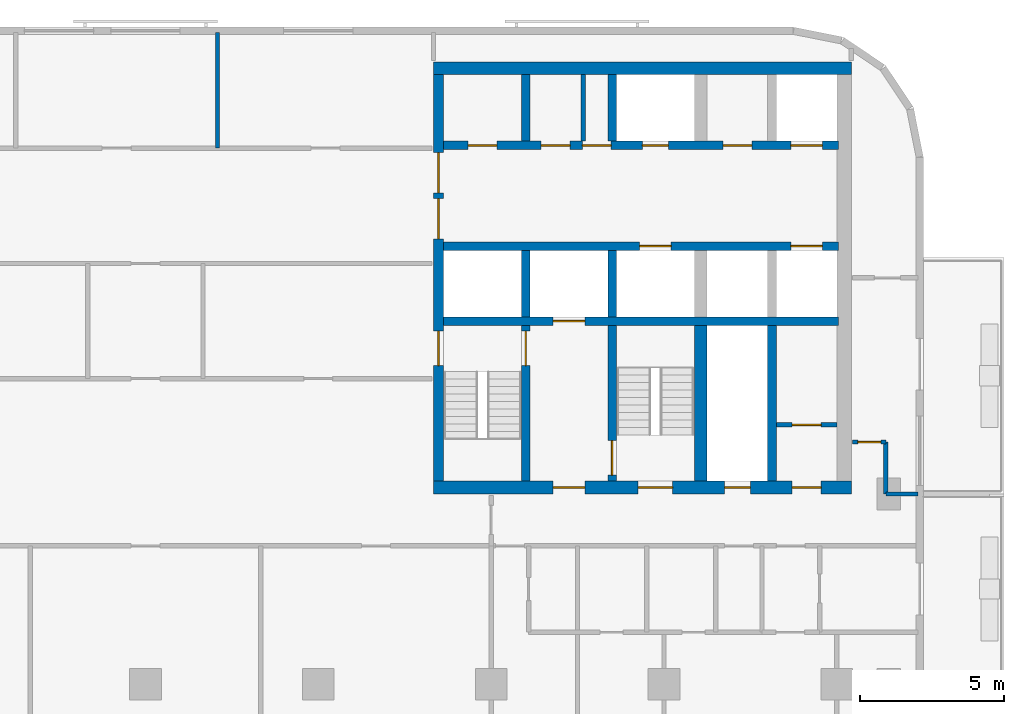
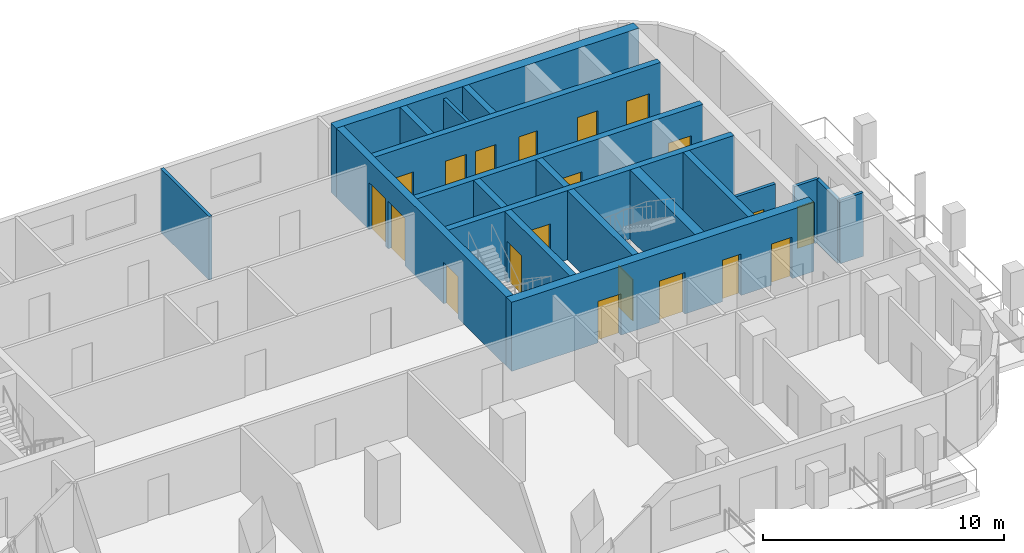
# One storey, part 6 of 11: 20 doors, 20 walls, 20 openings.
"""IFC4 building model written with IfcOpenShell, lengths in metres."""

from ifc_helpers import new_model, si_unit, direction, frame, frame_2d, origin, place, context, subcontext, project, spatial, rectangle, extrude, material, layer, layer_set, type_object, element, fill, save


model = new_model("IFC4")

# Units and contexts
model_context = context("Model", 3, precision=1e-05, world=origin(), true_north=direction((0.0, 1.0)))
body_context = subcontext(model_context, "Body", "Model", "MODEL_VIEW")
ifc_project = project(units=[si_unit("LENGTHUNIT", "METRE"), si_unit("AREAUNIT", "SQUARE_METRE"), si_unit("VOLUMEUNIT", "CUBIC_METRE"), si_unit("PLANEANGLEUNIT", "RADIAN"), si_unit("MASSUNIT", "GRAM", prefix="KILO")], contexts=[model_context])

# Site, building, storey
site_placement = place(None, origin())
site = spatial("IfcSite", under=ifc_project, at=site_placement, CompositionType="ELEMENT")
building_placement = place(site_placement, origin())
building = spatial("IfcBuilding", under=site, at=building_placement, Name="Torana Hotel and Residences", CompositionType="ELEMENT")
storey_placement = place(building_placement, frame((0.0, 0.0, 183.60009765625)))
storey = spatial("IfcBuildingStorey", under=building, at=storey_placement, Name="L47", CompositionType="ELEMENT", Elevation=183.60009765625)

# Wall, openings, doors
ifc_material_1 = material(Name="Concrete C70/85", Category="concrete")
ifc_layer_1 = layer(ifc_material_1, 0.300048828125)
ifc_layer_set_1 = layer_set([ifc_layer_1], Name="CORE WALL 300 C70/85")
wall_type_1 = type_object("IfcWallType", Name="CORE WALL 300 C70/85", PredefinedType="SHEAR", material=ifc_layer_set_1)
wall_1_placement = place(storey_placement, frame((10.35009765625, -2.89990234375, 0.0), z_axis=(0.0, 0.0, 1.0), x_axis=(1.0, 0.0, 0.0)))
wall_1 = element("IfcWall", 1, at=wall_1_placement, inside=storey, type_object=wall_type_1, Name="Core wall E row-N", PredefinedType="SHEAR", context=body_context, shape_type="SweptSolid", body=[
    extrude(rectangle(XDim=13.699951171875, YDim=0.300048828125, at=frame_2d((6.85009765625, 0.0))), origin(), (0.0, 0.0, 1.0), 3.5),
])
opening_1_placement = place(wall_1_placement, frame((12.050048828125, 0.0, 0.0)))
opening_1 = element("IfcOpeningElement", 2, at=opening_1_placement, cuts=wall_1, Name="Opening LD", PredefinedType="OPENING", context=body_context, shape_type="SweptSolid", body=[
    extrude(rectangle(XDim=1.10009765625, YDim=2.10009765625, at=frame_2d((0.550048828125, 1.050048828125))), frame((0.0, 0.159912109375, 0.0), z_axis=(0.0, -1.0, 0.0), x_axis=(1.0, 0.0, 0.0)), (0.0, 0.0, 1.0), 0.320068359375),
])
opening_2_placement = place(wall_1_placement, frame((6.89990234375, 0.0, 0.0)))
opening_2 = element("IfcOpeningElement", 3, at=opening_2_placement, cuts=wall_1, Name="Opening L47-22", PredefinedType="OPENING", context=body_context, shape_type="SweptSolid", body=[
    extrude(rectangle(XDim=0.89990234375, YDim=2.10009765625, at=frame_2d((0.449951171875, 1.050048828125))), frame((0.0, 0.159912109375, 0.0), z_axis=(0.0, -1.0, 0.0), x_axis=(1.0, 0.0, 0.0)), (0.0, 0.0, 1.0), 0.320068359375),
])
opening_3_placement = place(wall_1_placement, frame((0.85009765625, 0.0, 0.0)))
opening_3 = element("IfcOpeningElement", 4, at=opening_3_placement, cuts=wall_1, Name="Opening L47-23", PredefinedType="OPENING", context=body_context, shape_type="SweptSolid", body=[
    extrude(rectangle(XDim=1.0, YDim=2.10009765625, at=frame_2d((0.5, 1.050048828125))), frame((0.0, 0.159912109375, 0.0), z_axis=(0.0, -1.0, 0.0), x_axis=(1.0, 0.0, 0.0)), (0.0, 0.0, 1.0), 0.320068359375),
])
opening_4_placement = place(wall_1_placement, frame((3.387451171875, 0.0, 0.0)))
opening_4 = element("IfcOpeningElement", 5, at=opening_4_placement, cuts=wall_1, Name="Opening L47-24", PredefinedType="OPENING", context=body_context, shape_type="SweptSolid", body=[
    extrude(rectangle(XDim=1.0, YDim=2.10009765625, at=frame_2d((0.5, 1.050048828125))), frame((0.0, 0.159912109375, 0.0), z_axis=(0.0, -1.0, 0.0), x_axis=(1.0, 0.0, 0.0)), (0.0, 0.0, 1.0), 0.320068359375),
])
opening_5_placement = place(wall_1_placement, frame((4.8125, 0.0, 0.0)))
opening_5 = element("IfcOpeningElement", 6, at=opening_5_placement, cuts=wall_1, Name="Opening L47-25", PredefinedType="OPENING", context=body_context, shape_type="SweptSolid", body=[
    extrude(rectangle(XDim=1.0, YDim=2.10009765625, at=frame_2d((0.5, 1.050048828125))), frame((0.0, 0.159912109375, 0.0), z_axis=(0.0, -1.0, 0.0), x_axis=(1.0, 0.0, 0.0)), (0.0, 0.0, 1.0), 0.320068359375),
])
opening_6_placement = place(wall_1_placement, frame((9.699951171875, 0.0, 0.0)))
opening_6 = element("IfcOpeningElement", 7, at=opening_6_placement, cuts=wall_1, Name="Opening L47-26", PredefinedType="OPENING", context=body_context, shape_type="SweptSolid", body=[
    extrude(rectangle(XDim=1.0, YDim=2.10009765625, at=frame_2d((0.5, 1.050048828125))), frame((0.0, 0.159912109375, 0.0), z_axis=(0.0, -1.0, 0.0), x_axis=(1.0, 0.0, 0.0)), (0.0, 0.0, 1.0), 0.320068359375),
])
ifc_material_2 = material(Name="Steel S235", Category="steel")
door_type_1 = type_object("IfcDoorType", Name="CORE ROOM FIRE DOOR D14 1000x2100", OperationType="SINGLE_SWING_LEFT", PredefinedType="DOOR", material=ifc_material_2)
door_1_placement = place(opening_3_placement, origin())
door_1 = element("IfcDoor", 8, at=door_1_placement, inside=storey, type_object=door_type_1, Name="N0 door L47", OperationType="SINGLE_SWING_RIGHT", OverallHeight=2.10009765625, OverallWidth=1.0, PredefinedType="DOOR", context=body_context, shape_type="SweptSolid", body=[
    extrude(rectangle(XDim=1.0, YDim=2.10009765625, at=frame_2d((0.5, 1.050048828125))), frame((0.0, 0.02490234375, 0.0), z_axis=(0.0, -1.0, 0.0), x_axis=(1.0, 0.0, 0.0)), (0.0, 0.0, 1.0), 0.050048828125),
])
fill(opening_3, door_1)
door_2_placement = place(opening_4_placement, origin())
door_2 = element("IfcDoor", 9, at=door_2_placement, inside=storey, type_object=door_type_1, Name="N1A door L47", OperationType="SINGLE_SWING_RIGHT", OverallHeight=2.10009765625, OverallWidth=1.0, PredefinedType="DOOR", context=body_context, shape_type="SweptSolid", body=[
    extrude(rectangle(XDim=1.0, YDim=2.10009765625, at=frame_2d((0.5, 1.050048828125))), frame((0.0, 0.02490234375, 0.0), z_axis=(0.0, -1.0, 0.0), x_axis=(1.0, 0.0, 0.0)), (0.0, 0.0, 1.0), 0.050048828125),
])
fill(opening_4, door_2)
door_3_placement = place(opening_5_placement, origin())
door_3 = element("IfcDoor", 10, at=door_3_placement, inside=storey, type_object=door_type_1, Name="N1B door L47", OperationType="SINGLE_SWING_LEFT", OverallHeight=2.10009765625, OverallWidth=1.0, PredefinedType="DOOR", context=body_context, shape_type="SweptSolid", body=[
    extrude(rectangle(XDim=1.0, YDim=2.10009765625, at=frame_2d((0.5, 1.050048828125))), frame((0.0, 0.02490234375, 0.0), z_axis=(0.0, -1.0, 0.0), x_axis=(1.0, 0.0, 0.0)), (0.0, 0.0, 1.0), 0.050048828125),
])
fill(opening_5, door_3)
door_4_placement = place(opening_6_placement, origin())
door_4 = element("IfcDoor", 11, at=door_4_placement, inside=storey, type_object=door_type_1, Name="Freed-S2 door L47", OperationType="SINGLE_SWING_RIGHT", OverallHeight=2.10009765625, OverallWidth=1.0, PredefinedType="DOOR", context=body_context, shape_type="SweptSolid", body=[
    extrude(rectangle(XDim=1.0, YDim=2.10009765625, at=frame_2d((0.5, 1.050048828125))), frame((0.0, 0.02490234375, 0.0), z_axis=(0.0, -1.0, 0.0), x_axis=(1.0, 0.0, 0.0)), (0.0, 0.0, 1.0), 0.050048828125),
])
fill(opening_6, door_4)
ifc_material_3 = material(Name="Stainless steel 316", Category="steel")
door_type_2 = type_object("IfcDoorType", Name="LIFT LANDING DOOR LD 1100x2100", OperationType="DOUBLE_DOOR_SLIDING", PredefinedType="USERDEFINED", material=ifc_material_3)
door_5_placement = place(opening_1_placement, origin())
door_5 = element("IfcDoor", 12, at=door_5_placement, inside=storey, type_object=door_type_2, Name="Lift landing door M3 L47", ObjectType="LIFT LANDING DOOR", OperationType="DOUBLE_DOOR_SLIDING", OverallHeight=2.10009765625, OverallWidth=1.10009765625, PredefinedType="USERDEFINED", context=body_context, shape_type="SweptSolid", body=[
    extrude(rectangle(XDim=1.10009765625, YDim=2.10009765625, at=frame_2d((0.550048828125, 1.050048828125))), frame((0.0, 0.02490234375, 0.0), z_axis=(0.0, -1.0, 0.0), x_axis=(1.0, 0.0, 0.0)), (0.0, 0.0, 1.0), 0.050048828125),
])
fill(opening_1, door_5)
ifc_material_4 = material(Name="Steel S235", Category="steel")
door_type_3 = type_object("IfcDoorType", Name="RISER ACCESS DOOR D5 900x2100", OperationType="SINGLE_SWING_LEFT", PredefinedType="DOOR", material=ifc_material_4)
door_6_placement = place(opening_2_placement, origin())
door_6 = element("IfcDoor", 13, at=door_6_placement, inside=storey, type_object=door_type_3, Name="N2 door L47", OperationType="SINGLE_SWING_RIGHT", OverallHeight=2.10009765625, OverallWidth=0.89990234375, PredefinedType="DOOR", context=body_context, shape_type="SweptSolid", body=[
    extrude(rectangle(XDim=0.89990234375, YDim=2.10009765625, at=frame_2d((0.449951171875, 1.050048828125))), frame((0.0, 0.02490234375, 0.0), z_axis=(0.0, -1.0, 0.0), x_axis=(1.0, 0.0, 0.0)), (0.0, 0.0, 1.0), 0.050048828125),
])
fill(opening_2, door_6)

wall_2_placement = place(storey_placement, frame((10.35009765625, -6.39990234375, 0.0), z_axis=(0.0, 0.0, 1.0), x_axis=(1.0, 0.0, 0.0)))
wall_2 = element("IfcWall", 14, at=wall_2_placement, inside=storey, type_object=wall_type_1, Name="Core wall E row-S", PredefinedType="SHEAR", context=body_context, shape_type="SweptSolid", body=[
    extrude(rectangle(XDim=13.699951171875, YDim=0.300048828125, at=frame_2d((6.85009765625, 0.0))), origin(), (0.0, 0.0, 1.0), 3.5),
])
opening_7_placement = place(wall_2_placement, frame((12.050048828125, 0.0, 0.0)))
opening_7 = element("IfcOpeningElement", 15, at=opening_7_placement, cuts=wall_2, Name="Opening LD", PredefinedType="OPENING", context=body_context, shape_type="SweptSolid", body=[
    extrude(rectangle(XDim=1.10009765625, YDim=2.10009765625, at=frame_2d((0.550048828125, 1.050048828125))), frame((0.0, 0.159912109375, 0.0), z_axis=(0.0, -1.0, 0.0), x_axis=(1.0, 0.0, 0.0)), (0.0, 0.0, 1.0), 0.320068359375),
])
opening_8_placement = place(wall_2_placement, frame((6.800048828125, 0.0, 0.0)))
opening_8 = element("IfcOpeningElement", 16, at=opening_8_placement, cuts=wall_2, Name="Opening LD", PredefinedType="OPENING", context=body_context, shape_type="SweptSolid", body=[
    extrude(rectangle(XDim=1.10009765625, YDim=2.10009765625, at=frame_2d((0.550048828125, 1.050048828125))), frame((0.0, 0.159912109375, 0.0), z_axis=(0.0, -1.0, 0.0), x_axis=(1.0, 0.0, 0.0)), (0.0, 0.0, 1.0), 0.320068359375),
])
door_7_placement = place(opening_7_placement, origin())
door_7 = element("IfcDoor", 17, at=door_7_placement, inside=storey, type_object=door_type_2, Name="Lift landing door M4 L47", ObjectType="LIFT LANDING DOOR", OperationType="DOUBLE_DOOR_SLIDING", OverallHeight=2.10009765625, OverallWidth=1.10009765625, PredefinedType="USERDEFINED", context=body_context, shape_type="SweptSolid", body=[
    extrude(rectangle(XDim=1.10009765625, YDim=2.10009765625, at=frame_2d((0.550048828125, 1.050048828125))), frame((0.0, 0.02490234375, 0.0), z_axis=(0.0, -1.0, 0.0), x_axis=(1.0, 0.0, 0.0)), (0.0, 0.0, 1.0), 0.050048828125),
])
fill(opening_7, door_7)
door_8_placement = place(opening_8_placement, origin())
door_8 = element("IfcDoor", 18, at=door_8_placement, inside=storey, type_object=door_type_2, Name="Lift landing door SV2 L47", ObjectType="LIFT LANDING DOOR", OperationType="DOUBLE_DOOR_SLIDING", OverallHeight=2.10009765625, OverallWidth=1.10009765625, PredefinedType="USERDEFINED", context=body_context, shape_type="SweptSolid", body=[
    extrude(rectangle(XDim=1.10009765625, YDim=2.10009765625, at=frame_2d((0.550048828125, 1.050048828125))), frame((0.0, 0.02490234375, 0.0), z_axis=(0.0, -1.0, 0.0), x_axis=(1.0, 0.0, 0.0)), (0.0, 0.0, 1.0), 0.050048828125),
])
fill(opening_8, door_8)

# Wall, opening, door
wall_3_placement = place(storey_placement, frame((10.35009765625, -9.0, 0.0), z_axis=(0.0, 0.0, 1.0), x_axis=(1.0, 0.0, 0.0)))
wall_3 = element("IfcWall", 19, at=wall_3_placement, inside=storey, type_object=wall_type_1, Name="Core wall E band", PredefinedType="SHEAR", context=body_context, shape_type="SweptSolid", body=[
    extrude(rectangle(XDim=13.699951171875, YDim=0.300048828125, at=frame_2d((6.85009765625, 0.0))), origin(), (0.0, 0.0, 1.0), 3.5),
])
opening_9_placement = place(wall_3_placement, frame((3.800048828125, 0.0, 0.0)))
opening_9 = element("IfcOpeningElement", 20, at=opening_9_placement, cuts=wall_3, Name="Opening LD", PredefinedType="OPENING", context=body_context, shape_type="SweptSolid", body=[
    extrude(rectangle(XDim=1.10009765625, YDim=2.10009765625, at=frame_2d((0.550048828125, 1.050048828125))), frame((0.0, 0.159912109375, 0.0), z_axis=(0.0, -1.0, 0.0), x_axis=(1.0, 0.0, 0.0)), (0.0, 0.0, 1.0), 0.320068359375),
])
door_9_placement = place(opening_9_placement, origin())
door_9 = element("IfcDoor", 21, at=door_9_placement, inside=storey, type_object=door_type_2, Name="Lift landing door FF2 L47", ObjectType="LIFT LANDING DOOR", OperationType="DOUBLE_DOOR_SLIDING", OverallHeight=2.10009765625, OverallWidth=1.10009765625, PredefinedType="USERDEFINED", context=body_context, shape_type="SweptSolid", body=[
    extrude(rectangle(XDim=1.10009765625, YDim=2.10009765625, at=frame_2d((0.550048828125, 1.050048828125))), frame((0.0, 0.02490234375, 0.0), z_axis=(0.0, -1.0, 0.0), x_axis=(1.0, 0.0, 0.0)), (0.0, 0.0, 1.0), 0.050048828125),
])
fill(opening_9, door_9)

# Walls
for number, where, z_axis, x_axis, name in (
    (22, (13.199951171875, -2.75, 0.0), (0.0, 0.0, 1.0), (0.0, 1.0, 0.0), "Core wall E x3.05-N"),
    (23, (13.199951171875, -8.85009765625, 0.0), (0.0, 0.0, 1.0), (0.0, 1.0, 0.0), "Core wall E x3.05-S"),
):
    element("IfcWall", number, at=place(storey_placement, frame(where, z_axis=z_axis, x_axis=x_axis)), inside=storey, type_object=wall_type_1, Name=name, PredefinedType="SHEAR", context=body_context, shape_type="SweptSolid", body=[
        extrude(rectangle(XDim=2.300048828125, YDim=0.300048828125, at=frame_2d((1.14990234375, 0.0))), origin(), (0.0, 0.0, 1.0), 3.5),
    ])

# Wall, opening, door
wall_4_placement = place(storey_placement, frame((13.199951171875, -14.550048828125, 0.0), z_axis=(0.0, 0.0, 1.0), x_axis=(0.0, 1.0, 0.0)))
wall_4 = element("IfcWall", 24, at=wall_4_placement, inside=storey, type_object=wall_type_1, Name="Core wall E x3.05-band", PredefinedType="SHEAR", context=body_context, shape_type="SweptSolid", body=[
    extrude(rectangle(XDim=5.400146484375, YDim=0.300048828125, at=frame_2d((2.7001953125, 0.0))), origin(), (0.0, 0.0, 1.0), 3.5),
])
opening_10_placement = place(wall_4_placement, frame((4.0, 0.0, 0.0)))
opening_10 = element("IfcOpeningElement", 25, at=opening_10_placement, cuts=wall_4, Name="Opening L47-27", PredefinedType="OPENING", context=body_context, shape_type="SweptSolid", body=[
    extrude(rectangle(XDim=1.199951171875, YDim=2.10009765625, at=frame_2d((0.60009765625, 1.050048828125))), frame((0.0, 0.159912109375, 0.0), z_axis=(0.0, -1.0, 0.0), x_axis=(1.0, 0.0, 0.0)), (0.0, 0.0, 1.0), 0.320068359375),
])
ifc_material_5 = material(Name="Steel S235", Category="steel")
door_type_4 = type_object("IfcDoorType", Name="STAIR FIRE DOOR D3 1200x2100", OperationType="SINGLE_SWING_LEFT", PredefinedType="DOOR", material=ifc_material_5)
door_10_placement = place(opening_10_placement, origin())
door_10 = element("IfcDoor", 26, at=door_10_placement, inside=storey, type_object=door_type_4, Name="Stair-A-lobby door L47", OperationType="SINGLE_SWING_LEFT", OverallHeight=2.10009765625, OverallWidth=1.199951171875, PredefinedType="DOOR", context=body_context, shape_type="SweptSolid", body=[
    extrude(rectangle(XDim=1.199951171875, YDim=2.10009765625, at=frame_2d((0.60009765625, 1.050048828125))), frame((0.0, 0.02490234375, 0.0), z_axis=(0.0, -1.0, 0.0), x_axis=(1.0, 0.0, 0.0)), (0.0, 0.0, 1.0), 0.050048828125),
])
fill(opening_10, door_10)

# Walls
for number, where, z_axis, x_axis, name in (
    (27, (16.199951171875, -2.75, 0.0), (0.0, 0.0, 1.0), (0.0, 1.0, 0.0), "Core wall E x6.05-N"),
    (28, (16.199951171875, -8.85009765625, 0.0), (0.0, 0.0, 1.0), (0.0, 1.0, 0.0), "Core wall E x6.05-S"),
):
    element("IfcWall", number, at=place(storey_placement, frame(where, z_axis=z_axis, x_axis=x_axis)), inside=storey, type_object=wall_type_1, Name=name, PredefinedType="SHEAR", context=body_context, shape_type="SweptSolid", body=[
        extrude(rectangle(XDim=2.300048828125, YDim=0.300048828125, at=frame_2d((1.14990234375, 0.0))), origin(), (0.0, 0.0, 1.0), 3.5),
    ])

# Wall, opening, door
wall_5_placement = place(storey_placement, frame((16.199951171875, -14.550048828125, 0.0), z_axis=(0.0, 0.0, 1.0), x_axis=(0.0, 1.0, 0.0)))
wall_5 = element("IfcWall", 29, at=wall_5_placement, inside=storey, type_object=wall_type_1, Name="Core wall E x6.05-band", PredefinedType="SHEAR", context=body_context, shape_type="SweptSolid", body=[
    extrude(rectangle(XDim=5.400146484375, YDim=0.300048828125, at=frame_2d((2.7001953125, 0.0))), origin(), (0.0, 0.0, 1.0), 3.5),
])
opening_11_placement = place(wall_5_placement, frame((0.199951171875, 0.0, 0.0)))
opening_11 = element("IfcOpeningElement", 30, at=opening_11_placement, cuts=wall_5, Name="Opening L47-28", PredefinedType="OPENING", context=body_context, shape_type="SweptSolid", body=[
    extrude(rectangle(XDim=1.199951171875, YDim=2.10009765625, at=frame_2d((0.60009765625, 1.050048828125))), frame((0.0, 0.159912109375, 0.0), z_axis=(0.0, -1.0, 0.0), x_axis=(1.0, 0.0, 0.0)), (0.0, 0.0, 1.0), 0.320068359375),
])
door_11_placement = place(opening_11_placement, frame((0.60009765625, 0.0, 0.0), z_axis=(0.0, 0.0, 1.0), x_axis=(-1.0, 0.0, 0.0)))
door_11 = element("IfcDoor", 31, at=door_11_placement, inside=storey, type_object=door_type_4, Name="Stair-B-lobby door L47", OperationType="SINGLE_SWING_LEFT", OverallHeight=2.10009765625, OverallWidth=1.199951171875, PredefinedType="DOOR", context=body_context, shape_type="SweptSolid", body=[
    extrude(rectangle(XDim=1.199951171875, YDim=2.10009765625, at=frame_2d((0.0, 1.050048828125))), frame((0.0, -0.02490234375, 0.0), z_axis=(0.0, 1.0, 0.0), x_axis=(-1.0, 0.0, 0.0)), (0.0, 0.0, 1.0), 0.050048828125),
])
fill(opening_11, door_11)

# Wall
wall_6_placement = place(storey_placement, frame((21.75, -14.550048828125, 0.0), z_axis=(0.0, 0.0, 1.0), x_axis=(0.0, 1.0, 0.0)))
element("IfcWall", 32, at=wall_6_placement, inside=storey, type_object=wall_type_1, Name="Core wall E mm-band", PredefinedType="SHEAR", context=body_context, shape_type="SweptSolid", body=[
    extrude(rectangle(XDim=5.400146484375, YDim=0.300048828125, at=frame_2d((2.7001953125, 0.0))), origin(), (0.0, 0.0, 1.0), 3.5),
])

# Wall, openings, doors
ifc_material_6 = material(Name="Concrete C70/85", Category="concrete")
ifc_layer_2 = layer(ifc_material_6, 0.35009765625)
ifc_layer_set_2 = layer_set([ifc_layer_2], Name="CORE WALL 350 C70/85")
wall_type_2 = type_object("IfcWallType", Name="CORE WALL 350 C70/85", PredefinedType="SHEAR", material=ifc_layer_set_2)
wall_7_placement = place(storey_placement, frame((10.175048828125, -14.550048828125, 0.0), z_axis=(0.0, 0.0, 1.0), x_axis=(0.0, 1.0, 0.0)))
wall_7 = element("IfcWall", 33, at=wall_7_placement, inside=storey, type_object=wall_type_2, Name="Core wall E arch", PredefinedType="SHEAR", context=body_context, shape_type="SweptSolid", body=[
    extrude(rectangle(XDim=14.10009765625, YDim=0.35009765625, at=frame_2d((7.050048828125, 0.0))), origin(), (0.0, 0.0, 1.0), 3.5),
])
opening_12_placement = place(wall_7_placement, frame((8.39990234375, 0.0, 0.0)))
opening_12 = element("IfcOpeningElement", 34, at=opening_12_placement, cuts=wall_7, Name="Opening L47-15", PredefinedType="OPENING", context=body_context, shape_type="SweptSolid", body=[
    extrude(rectangle(XDim=1.39990234375, YDim=2.39990234375, at=frame_2d((0.699951171875, 1.199951171875))), frame((0.0, 0.18505859375, 0.0), z_axis=(0.0, -1.0, 0.0), x_axis=(1.0, 0.0, 0.0)), (0.0, 0.0, 1.0), 0.3701171875),
])
opening_13_placement = place(wall_7_placement, frame((10.0, 0.0, 0.0)))
opening_13 = element("IfcOpeningElement", 35, at=opening_13_placement, cuts=wall_7, Name="Opening L47-16", PredefinedType="OPENING", context=body_context, shape_type="SweptSolid", body=[
    extrude(rectangle(XDim=1.39990234375, YDim=2.39990234375, at=frame_2d((0.699951171875, 1.199951171875))), frame((0.0, 0.18505859375, 0.0), z_axis=(0.0, -1.0, 0.0), x_axis=(1.0, 0.0, 0.0)), (0.0, 0.0, 1.0), 0.3701171875),
])
opening_14_placement = place(wall_7_placement, frame((4.0, 0.0, 0.0)))
opening_14 = element("IfcOpeningElement", 36, at=opening_14_placement, cuts=wall_7, Name="Opening L47-17", PredefinedType="OPENING", context=body_context, shape_type="SweptSolid", body=[
    extrude(rectangle(XDim=1.199951171875, YDim=2.10009765625, at=frame_2d((0.60009765625, 1.050048828125))), frame((0.0, 0.18505859375, 0.0), z_axis=(0.0, -1.0, 0.0), x_axis=(1.0, 0.0, 0.0)), (0.0, 0.0, 1.0), 0.3701171875),
])
ifc_material_7 = material(Name="Steel S235", Category="steel")
door_type_5 = type_object("IfcDoorType", Name="LOBBY FIRE DOOR D4 1400x2400", OperationType="DOUBLE_DOOR_SINGLE_SWING", PredefinedType="DOOR", material=ifc_material_7)
door_12_placement = place(opening_12_placement, origin())
door_12 = element("IfcDoor", 37, at=door_12_placement, inside=storey, type_object=door_type_5, Name="Lobby-1 door L47", OperationType="DOUBLE_DOOR_SINGLE_SWING", OverallHeight=2.39990234375, OverallWidth=1.39990234375, PredefinedType="DOOR", context=body_context, shape_type="SweptSolid", body=[
    extrude(rectangle(XDim=1.39990234375, YDim=2.39990234375, at=frame_2d((0.699951171875, 1.199951171875))), frame((0.0, 0.02490234375, 0.0), z_axis=(0.0, -1.0, 0.0), x_axis=(1.0, 0.0, 0.0)), (0.0, 0.0, 1.0), 0.050048828125),
])
fill(opening_12, door_12)
door_13_placement = place(opening_13_placement, origin())
door_13 = element("IfcDoor", 38, at=door_13_placement, inside=storey, type_object=door_type_5, Name="Lobby-2 door L47", OperationType="DOUBLE_DOOR_SINGLE_SWING", OverallHeight=2.39990234375, OverallWidth=1.39990234375, PredefinedType="DOOR", context=body_context, shape_type="SweptSolid", body=[
    extrude(rectangle(XDim=1.39990234375, YDim=2.39990234375, at=frame_2d((0.699951171875, 1.199951171875))), frame((0.0, 0.02490234375, 0.0), z_axis=(0.0, -1.0, 0.0), x_axis=(1.0, 0.0, 0.0)), (0.0, 0.0, 1.0), 0.050048828125),
])
fill(opening_13, door_13)
door_14_placement = place(opening_14_placement, frame((0.60009765625, 0.0, 0.0), z_axis=(0.0, 0.0, 1.0), x_axis=(-1.0, 0.0, 0.0)))
door_14 = element("IfcDoor", 39, at=door_14_placement, inside=storey, type_object=door_type_4, Name="Stair-A door L47", OperationType="SINGLE_SWING_RIGHT", OverallHeight=2.10009765625, OverallWidth=1.199951171875, PredefinedType="DOOR", context=body_context, shape_type="SweptSolid", body=[
    extrude(rectangle(XDim=1.199951171875, YDim=2.10009765625, at=frame_2d((0.0, 1.050048828125))), frame((0.0, -0.02490234375, 0.0), z_axis=(0.0, 1.0, 0.0), x_axis=(-1.0, 0.0, 0.0)), (0.0, 0.0, 1.0), 0.050048828125),
])
fill(opening_14, door_14)

# Wall
ifc_material_8 = material(Name="Concrete C70/85", Category="concrete")
ifc_layer_3 = layer(ifc_material_8, 0.449951171875)
ifc_layer_set_3 = layer_set([ifc_layer_3], Name="CORE WALL 450 C70/85")
wall_type_3 = type_object("IfcWallType", Name="CORE WALL 450 C70/85", PredefinedType="SHEAR", material=ifc_layer_set_3)
wall_8_placement = place(storey_placement, frame((10.0, -0.22509765625, 0.0), z_axis=(0.0, 0.0, 1.0), x_axis=(1.0, 0.0, 0.0)))
element("IfcWall", 40, at=wall_8_placement, inside=storey, type_object=wall_type_3, Name="Core wall E rear", PredefinedType="SHEAR", context=body_context, shape_type="SweptSolid", body=[
    extrude(rectangle(XDim=14.5, YDim=0.449951171875, at=frame_2d((7.25, 0.0))), origin(), (0.0, 0.0, 1.0), 3.5),
])

# Wall, openings, doors
wall_9_placement = place(storey_placement, frame((10.0, -14.77490234375, 0.0), z_axis=(0.0, 0.0, 1.0), x_axis=(1.0, 0.0, 0.0)))
wall_9 = element("IfcWall", 41, at=wall_9_placement, inside=storey, type_object=wall_type_3, Name="Core wall E front", PredefinedType="SHEAR", context=body_context, shape_type="SweptSolid", body=[
    extrude(rectangle(XDim=14.5, YDim=0.449951171875, at=frame_2d((7.25, 0.0))), origin(), (0.0, 0.0, 1.0), 3.5),
])
opening_15_placement = place(wall_9_placement, frame((7.10009765625, 0.0, 0.0)))
opening_15 = element("IfcOpeningElement", 42, at=opening_15_placement, cuts=wall_9, Name="Opening L47-18", PredefinedType="OPENING", context=body_context, shape_type="SweptSolid", body=[
    extrude(rectangle(XDim=1.199951171875, YDim=2.10009765625, at=frame_2d((0.60009765625, 1.050048828125))), frame((0.0, 0.23486328125, 0.0), z_axis=(0.0, -1.0, 0.0), x_axis=(1.0, 0.0, 0.0)), (0.0, 0.0, 1.0), 0.469970703125),
])
opening_16_placement = place(wall_9_placement, frame((4.14990234375, 0.0, 0.0)))
opening_16 = element("IfcOpeningElement", 43, at=opening_16_placement, cuts=wall_9, Name="Opening L47-19", PredefinedType="OPENING", context=body_context, shape_type="SweptSolid", body=[
    extrude(rectangle(XDim=1.10009765625, YDim=2.10009765625, at=frame_2d((0.550048828125, 1.050048828125))), frame((0.0, 0.23486328125, 0.0), z_axis=(0.0, -1.0, 0.0), x_axis=(1.0, 0.0, 0.0)), (0.0, 0.0, 1.0), 0.469970703125),
])
opening_17_placement = place(wall_9_placement, frame((10.10009765625, 0.0, 0.0)))
opening_17 = element("IfcOpeningElement", 44, at=opening_17_placement, cuts=wall_9, Name="Opening L47-20", PredefinedType="OPENING", context=body_context, shape_type="SweptSolid", body=[
    extrude(rectangle(XDim=0.89990234375, YDim=2.10009765625, at=frame_2d((0.449951171875, 1.050048828125))), frame((0.0, 0.23486328125, 0.0), z_axis=(0.0, -1.0, 0.0), x_axis=(1.0, 0.0, 0.0)), (0.0, 0.0, 1.0), 0.469970703125),
])
opening_18_placement = place(wall_9_placement, frame((12.449951171875, 0.0, 0.0)))
opening_18 = element("IfcOpeningElement", 45, at=opening_18_placement, cuts=wall_9, Name="Opening L47-21", PredefinedType="OPENING", context=body_context, shape_type="SweptSolid", body=[
    extrude(rectangle(XDim=1.0, YDim=2.10009765625, at=frame_2d((0.5, 1.050048828125))), frame((0.0, 0.23486328125, 0.0), z_axis=(0.0, -1.0, 0.0), x_axis=(1.0, 0.0, 0.0)), (0.0, 0.0, 1.0), 0.469970703125),
])
door_15_placement = place(opening_18_placement, origin())
door_15 = element("IfcDoor", 46, at=door_15_placement, inside=storey, type_object=door_type_1, Name="M-Room-B door L47", OperationType="SINGLE_SWING_RIGHT", OverallHeight=2.10009765625, OverallWidth=1.0, PredefinedType="DOOR", context=body_context, shape_type="SweptSolid", body=[
    extrude(rectangle(XDim=1.0, YDim=2.10009765625, at=frame_2d((0.5, 1.050048828125))), frame((0.0, 0.02490234375, 0.0), z_axis=(0.0, -1.0, 0.0), x_axis=(1.0, 0.0, 0.0)), (0.0, 0.0, 1.0), 0.050048828125),
])
fill(opening_18, door_15)
ifc_material_9 = material(Name="Steel S235", Category="steel")
door_type_6 = type_object("IfcDoorType", Name="FIRE-FIGHTING LOBBY DOOR D8 1100x2100", OperationType="SINGLE_SWING_LEFT", PredefinedType="DOOR", material=ifc_material_9)
door_16_placement = place(opening_16_placement, origin())
door_16 = element("IfcDoor", 47, at=door_16_placement, inside=storey, type_object=door_type_6, Name="FF-lobby door L47", OperationType="SINGLE_SWING_RIGHT", OverallHeight=2.10009765625, OverallWidth=1.10009765625, PredefinedType="DOOR", context=body_context, shape_type="SweptSolid", body=[
    extrude(rectangle(XDim=1.10009765625, YDim=2.10009765625, at=frame_2d((0.550048828125, 1.050048828125))), frame((0.0, 0.02490234375, 0.0), z_axis=(0.0, -1.0, 0.0), x_axis=(1.0, 0.0, 0.0)), (0.0, 0.0, 1.0), 0.050048828125),
])
fill(opening_16, door_16)
door_17_placement = place(opening_17_placement, origin())
door_17 = element("IfcDoor", 48, at=door_17_placement, inside=storey, type_object=door_type_3, Name="M-Riser door L47", OperationType="SINGLE_SWING_RIGHT", OverallHeight=2.10009765625, OverallWidth=0.89990234375, PredefinedType="DOOR", context=body_context, shape_type="SweptSolid", body=[
    extrude(rectangle(XDim=0.89990234375, YDim=2.10009765625, at=frame_2d((0.449951171875, 1.050048828125))), frame((0.0, 0.02490234375, 0.0), z_axis=(0.0, -1.0, 0.0), x_axis=(1.0, 0.0, 0.0)), (0.0, 0.0, 1.0), 0.050048828125),
])
fill(opening_17, door_17)
door_18_placement = place(opening_15_placement, origin())
door_18 = element("IfcDoor", 49, at=door_18_placement, inside=storey, type_object=door_type_4, Name="Stair-B door L47", OperationType="SINGLE_SWING_RIGHT", OverallHeight=2.10009765625, OverallWidth=1.199951171875, PredefinedType="DOOR", context=body_context, shape_type="SweptSolid", body=[
    extrude(rectangle(XDim=1.199951171875, YDim=2.10009765625, at=frame_2d((0.60009765625, 1.050048828125))), frame((0.0, 0.02490234375, 0.0), z_axis=(0.0, -1.0, 0.0), x_axis=(1.0, 0.0, 0.0)), (0.0, 0.0, 1.0), 0.050048828125),
])
fill(opening_15, door_18)

# Walls
wall_10_placement = place(storey_placement, frame((19.27490234375, -14.550048828125, 0.0), z_axis=(0.0, 0.0, 1.0), x_axis=(0.0, 1.0, 0.0)))
element("IfcWall", 50, at=wall_10_placement, inside=storey, type_object=wall_type_3, Name="Core wall E hm-band", PredefinedType="SHEAR", context=body_context, shape_type="SweptSolid", body=[
    extrude(rectangle(XDim=5.400146484375, YDim=0.449951171875, at=frame_2d((2.7001953125, 0.0))), origin(), (0.0, 0.0, 1.0), 3.5),
])
ifc_material_10 = material(Name="Gypsum plaster")
ifc_layer_4 = layer(ifc_material_10, 0.014892578125, Name="Plaster", Category="finish")
ifc_material_11 = material(Name="Concrete blockwork", Category="masonry")
ifc_layer_5 = layer(ifc_material_11, 0.1201171875, Name="Blockwork", Category="structure")
ifc_layer_6 = layer(ifc_material_10, 0.014892578125, Name="Plaster", Category="finish")
ifc_layer_set_4 = layer_set([ifc_layer_4, ifc_layer_5, ifc_layer_6], Name="FIRE PARTITION 150 BLOCKWORK")
wall_type_4 = type_object("IfcWallType", Name="FIRE PARTITION 150 BLOCKWORK", PredefinedType="PARTITIONING", material=ifc_layer_set_4)
wall_11_placement = place(storey_placement, frame((15.199951171875, -2.75, 0.0), z_axis=(0.0, 0.0, 1.0), x_axis=(0.0, 1.0, 0.0)))
element("IfcWall", 51, at=wall_11_placement, inside=storey, type_object=wall_type_4, Name="Core partition L47", PredefinedType="PARTITIONING", context=body_context, shape_type="SweptSolid", body=[
    extrude(rectangle(XDim=2.300048828125, YDim=0.14990234375, at=frame_2d((1.14990234375, 0.0))), origin(), (0.0, 0.0, 1.0), 3.199951171875),
])

# Wall, opening, door
wall_12_placement = place(storey_placement, frame((21.89990234375, -12.60009765625, 0.0), z_axis=(0.0, 0.0, 1.0), x_axis=(1.0, 0.0, 0.0)))
wall_12 = element("IfcWall", 52, at=wall_12_placement, inside=storey, type_object=wall_type_4, Name="Core partition L47", PredefinedType="PARTITIONING", context=body_context, shape_type="SweptSolid", body=[
    extrude(rectangle(XDim=2.10009765625, YDim=0.14990234375, at=frame_2d((1.050048828125, 0.0))), origin(), (0.0, 0.0, 1.0), 3.199951171875),
])
opening_19_placement = place(wall_12_placement, frame((0.550048828125, 0.0, 0.0)))
opening_19 = element("IfcOpeningElement", 53, at=opening_19_placement, cuts=wall_12, Name="Opening L47-30", PredefinedType="OPENING", context=body_context, shape_type="SweptSolid", body=[
    extrude(rectangle(XDim=1.0, YDim=2.10009765625, at=frame_2d((0.5, 1.050048828125))), frame((0.0, 0.0849609375, 0.0), z_axis=(0.0, -1.0, 0.0), x_axis=(1.0, 0.0, 0.0)), (0.0, 0.0, 1.0), 0.169921875),
])
door_19_placement = place(opening_19_placement, origin())
door_19 = element("IfcDoor", 54, at=door_19_placement, inside=storey, type_object=door_type_1, Name="Plant room door L47", OperationType="SINGLE_SWING_RIGHT", OverallHeight=2.10009765625, OverallWidth=1.0, PredefinedType="DOOR", context=body_context, shape_type="SweptSolid", body=[
    extrude(rectangle(XDim=1.0, YDim=2.10009765625, at=frame_2d((0.5, 1.050048828125))), frame((0.0, 0.02490234375, 0.0), z_axis=(0.0, -1.0, 0.0), x_axis=(1.0, 0.0, 0.0)), (0.0, 0.0, 1.0), 0.050048828125),
])
fill(opening_19, door_19)

# Walls
wall_13_placement = place(storey_placement, frame((25.699951171875, -15.0, 0.0), z_axis=(0.0, 0.0, 1.0), x_axis=(0.0, 1.0, 0.0)))
element("IfcWall", 55, at=wall_13_placement, inside=storey, type_object=wall_type_4, Name="Partition L47", PredefinedType="PARTITIONING", context=body_context, shape_type="SweptSolid", body=[
    extrude(rectangle(XDim=1.800048828125, YDim=0.14990234375, at=frame_2d((0.89990234375, 0.0))), origin(), (0.0, 0.0, 1.0), 3.219970703125),
])
wall_14_placement = place(storey_placement, frame((25.699951171875, -15.0, 0.0), z_axis=(0.0, 0.0, 1.0), x_axis=(1.0, 0.0, 0.0)))
element("IfcWall", 56, at=wall_14_placement, inside=storey, type_object=wall_type_4, Name="Partition L47", PredefinedType="PARTITIONING", context=body_context, shape_type="SweptSolid", body=[
    extrude(rectangle(XDim=1.1201171875, YDim=0.14990234375, at=frame_2d((0.56005859375, 0.0))), origin(), (0.0, 0.0, 1.0), 3.219970703125),
])

# Wall, opening, door
wall_15_placement = place(storey_placement, frame((24.550048828125, -13.199951171875, 0.0), z_axis=(0.0, 0.0, 1.0), x_axis=(1.0, 0.0, 0.0)))
wall_15 = element("IfcWall", 57, at=wall_15_placement, inside=storey, type_object=wall_type_4, Name="Partition L47", PredefinedType="PARTITIONING", context=body_context, shape_type="SweptSolid", body=[
    extrude(rectangle(XDim=1.14990234375, YDim=0.14990234375, at=frame_2d((0.574951171875, 0.0))), origin(), (0.0, 0.0, 1.0), 3.219970703125),
])
opening_20_placement = place(wall_15_placement, frame((0.175048828125, 0.0, 0.0)))
opening_20 = element("IfcOpeningElement", 58, at=opening_20_placement, cuts=wall_15, Name="Opening L47-41", PredefinedType="OPENING", context=body_context, shape_type="SweptSolid", body=[
    extrude(rectangle(XDim=0.800048828125, YDim=2.10009765625, at=frame_2d((0.39990234375, 1.050048828125))), frame((0.0, 0.0849609375, 0.0), z_axis=(0.0, -1.0, 0.0), x_axis=(1.0, 0.0, 0.0)), (0.0, 0.0, 1.0), 0.169921875),
])
ifc_material_12 = material(Name="Steel S235", Category="steel")
door_type_7 = type_object("IfcDoorType", Name="STORE FIRE DOOR D16 800x2100", OperationType="SINGLE_SWING_LEFT", PredefinedType="DOOR", material=ifc_material_12)
door_20_placement = place(opening_20_placement, origin())
door_20 = element("IfcDoor", 59, at=door_20_placement, inside=storey, type_object=door_type_7, Name="Door L47", OperationType="SINGLE_SWING_RIGHT", OverallHeight=2.10009765625, OverallWidth=0.800048828125, PredefinedType="DOOR", context=body_context, shape_type="SweptSolid", body=[
    extrude(rectangle(XDim=0.800048828125, YDim=2.10009765625, at=frame_2d((0.39990234375, 1.050048828125))), frame((0.0, 0.02490234375, 0.0), z_axis=(0.0, -1.0, 0.0), x_axis=(1.0, 0.0, 0.0)), (0.0, 0.0, 1.0), 0.050048828125),
])
fill(opening_20, door_20)

# Wall
ifc_material_13 = material(Name="Gypsum plasterboard")
ifc_layer_7 = layer(ifc_material_13, 0.012451171875, Name="Plasterboard", Category="finish")
ifc_layer_8 = layer(ifc_material_13, 0.012451171875, Name="Plasterboard", Category="finish")
ifc_material_14 = material(Name="Steel S280GD", Category="steel")
ifc_layer_9 = layer(ifc_material_14, 0.10009765625, Name="Steel studs with mineral wool", Category="insulation")
ifc_layer_10 = layer(ifc_material_13, 0.012451171875, Name="Plasterboard", Category="finish")
ifc_layer_11 = layer(ifc_material_13, 0.012451171875, Name="Plasterboard", Category="finish")
ifc_layer_set_5 = layer_set([ifc_layer_7, ifc_layer_8, ifc_layer_9, ifc_layer_10, ifc_layer_11], Name="PARTITION 150 PLASTERBOARD")
wall_type_5 = type_object("IfcWallType", Name="PARTITION 150 PLASTERBOARD", PredefinedType="PARTITIONING", material=ifc_layer_set_5)
wall_16_placement = place(storey_placement, frame((2.5, -3.0, 0.0), z_axis=(0.0, 0.0, 1.0), x_axis=(0.0, 1.0, 0.0)))
element("IfcWall", 60, at=wall_16_placement, inside=storey, type_object=wall_type_5, Name="Partition L47", PredefinedType="PARTITIONING", context=body_context, shape_type="SweptSolid", body=[
    extrude(rectangle(XDim=4.02001953125, YDim=0.14990234375, at=frame_2d((2.010009765625, 0.0))), origin(), (0.0, 0.0, 1.0), 3.219970703125),
])

save(model, "model.ifc")
